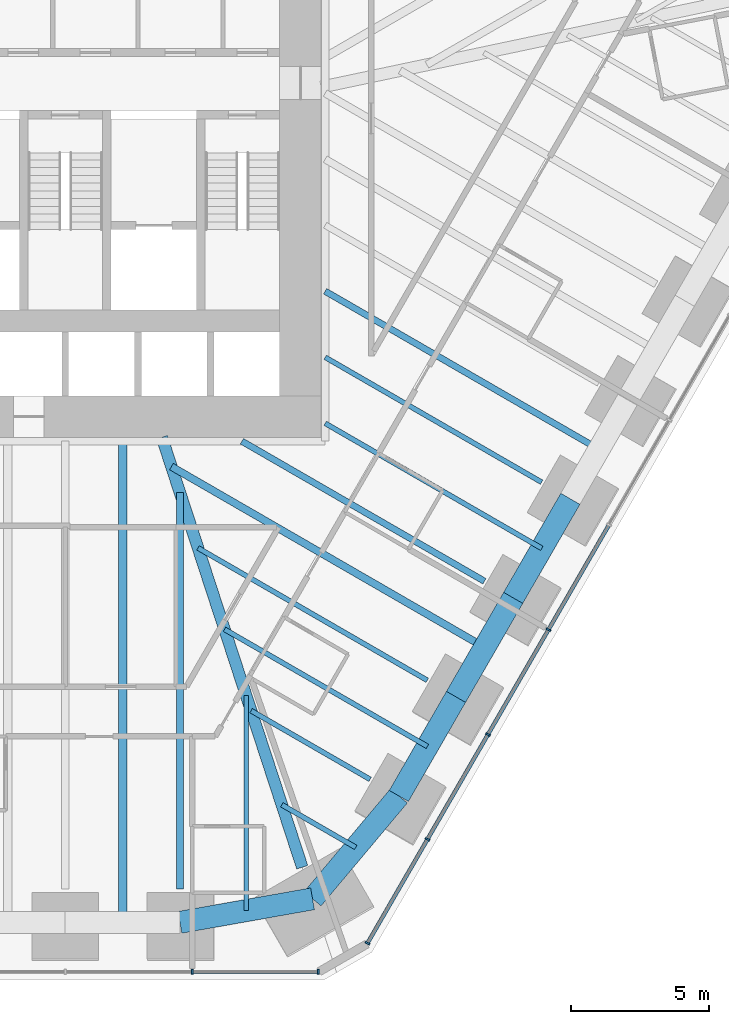
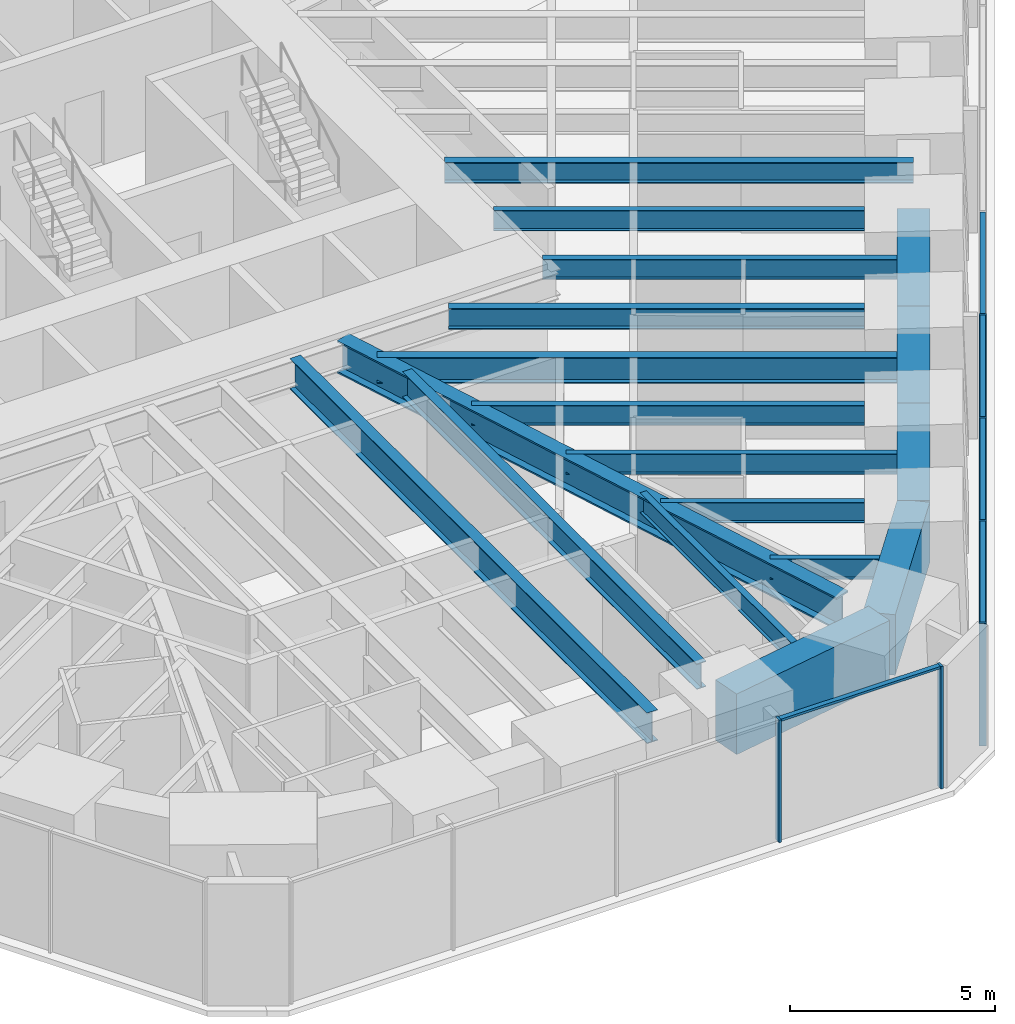
# One storey, part 5 of 17: 18 beams, 11 members, 2 elements without a shape of their own.
"""IFC4 building model written with IfcOpenShell, lengths in metres."""

from ifc_helpers import new_model, si_unit, direction, frame, origin, origin_2d, place, context, subcontext, project, spatial, rectangle, i_section, extrude, material, material_profile, profile_set, type_object, element, aggregate, save


model = new_model("IFC4")

# Units and contexts
model_context = context("Model", 3, precision=1e-05, world=origin(), true_north=direction((0.0, 1.0)))
body_context = subcontext(model_context, "Body", "Model", "MODEL_VIEW")
ifc_project = project(units=[si_unit("LENGTHUNIT", "METRE"), si_unit("AREAUNIT", "SQUARE_METRE"), si_unit("VOLUMEUNIT", "CUBIC_METRE"), si_unit("PLANEANGLEUNIT", "RADIAN"), si_unit("MASSUNIT", "GRAM", prefix="KILO")], contexts=[model_context])

# Site, building, storey
site_placement = place(None, origin())
site = spatial("IfcSite", under=ifc_project, at=site_placement, CompositionType="ELEMENT")
building_placement = place(site_placement, origin())
building = spatial("IfcBuilding", under=site, at=building_placement, Name="Sandreach Pilgrim Tower", CompositionType="ELEMENT")
storey_placement = place(building_placement, frame((0.0, 0.0, 64.800048828125)))
storey = spatial("IfcBuildingStorey", under=building, at=storey_placement, Name="L15", CompositionType="ELEMENT", Elevation=64.800048828125)

# Curtain wall, members
ifc_material_1 = material(Name="Aluminium framed curtain wall", Category="aluminium")
curtain_wall_type = type_object("IfcCurtainWallType", Name="Hostel tower curtain wall", PredefinedType="NOTDEFINED", material=ifc_material_1)
curtain_wall_1_placement = place(storey_placement, origin())
curtain_wall_1 = element("IfcCurtainWall", 1, at=curtain_wall_1_placement, inside=storey, type_object=curtain_wall_type, Name="CW-1 L15 SE", PredefinedType="NOTDEFINED")
ifc_material_2 = material(Name="Aluminium extrusion", Category="aluminium")
ifc_material_profile_1 = material_profile(ifc_material_2, rectangle(XDim=0.06494140625, YDim=0.179931640625, at=origin_2d()), Name="CW-1M 65X180")
ifc_profile_set_1 = profile_set([ifc_material_profile_1], Name="Aluminium extrusion")
member_type_1 = type_object("IfcMemberType", Name="CW-1 mullion", PredefinedType="MULLION", material=ifc_profile_set_1)
member_1_placement = place(storey_placement, frame((17.46142578125, -17.6533203125, 0.0), z_axis=(0.0, 0.0, 1.0), x_axis=(-0.5, -0.866025403784, 0.0)))
member_1 = element("IfcMember", 2, at=member_1_placement, type_object=member_type_1, Name="CW-1 mullion 7", PredefinedType="MULLION", context=body_context, shape_type="SweptSolid", body=[
    extrude(rectangle(XDim=0.06494140625, YDim=0.179931640625, at=origin_2d()), origin(), (0.0, 0.0, 1.0), 3.639892578125),
])
member_2_placement = place(storey_placement, frame((15.275634765625, -21.439208984375, 0.0), z_axis=(0.0, 0.0, 1.0), x_axis=(-0.5, -0.866025403784, 0.0)))
member_2 = element("IfcMember", 3, at=member_2_placement, type_object=member_type_1, Name="CW-1 mullion 8", PredefinedType="MULLION", context=body_context, shape_type="SweptSolid", body=[
    extrude(rectangle(XDim=0.06494140625, YDim=0.179931640625, at=origin_2d()), origin(), (0.0, 0.0, 1.0), 3.639892578125),
])
member_3_placement = place(storey_placement, frame((13.08984375, -25.22509765625, 0.0), z_axis=(0.0, 0.0, 1.0), x_axis=(-0.5, -0.866025403784, 0.0)))
member_3 = element("IfcMember", 4, at=member_3_placement, type_object=member_type_1, Name="CW-1 mullion 9", PredefinedType="MULLION", context=body_context, shape_type="SweptSolid", body=[
    extrude(rectangle(XDim=0.06494140625, YDim=0.179931640625, at=origin_2d()), origin(), (0.0, 0.0, 1.0), 3.639892578125),
])
member_4_placement = place(storey_placement, frame((10.92041015625, -28.982666015625, 0.0), z_axis=(0.0, 0.0, 1.0), x_axis=(-0.5, -0.866025403784, 0.0)))
member_4 = element("IfcMember", 5, at=member_4_placement, type_object=member_type_1, Name="CW-1 mullion 10", PredefinedType="MULLION", context=body_context, shape_type="SweptSolid", body=[
    extrude(rectangle(XDim=0.06494140625, YDim=0.179931640625, at=origin_2d()), origin(), (0.0, 0.0, 1.0), 3.639892578125),
])

curtain_wall_2_placement = place(storey_placement, origin())
curtain_wall_2 = element("IfcCurtainWall", 6, at=curtain_wall_2_placement, inside=storey, type_object=curtain_wall_type, Name="CW-1 L15 S", PredefinedType="NOTDEFINED")
member_5_placement = place(storey_placement, frame((9.1396484375, -30.010986328125, 0.0), z_axis=(0.0, 0.0, 1.0), x_axis=(-1.0, 0.0, 0.0)))
member_5 = element("IfcMember", 7, at=member_5_placement, type_object=member_type_1, Name="CW-1 mullion 1", PredefinedType="MULLION", context=body_context, shape_type="SweptSolid", body=[
    extrude(rectangle(XDim=0.06494140625, YDim=0.179931640625, at=origin_2d()), origin(), (0.0, 0.0, 1.0), 3.639892578125),
])
member_6_placement = place(storey_placement, frame((4.5859375, -30.010986328125, 0.0), z_axis=(0.0, 0.0, 1.0), x_axis=(-1.0, 0.0, 0.0)))
member_6 = element("IfcMember", 8, at=member_6_placement, type_object=member_type_1, Name="CW-1 mullion 2", PredefinedType="MULLION", context=body_context, shape_type="SweptSolid", body=[
    extrude(rectangle(XDim=0.06494140625, YDim=0.179931640625, at=origin_2d()), origin(), (0.0, 0.0, 1.0), 3.639892578125),
])

# Member
ifc_material_3 = material(Name="Aluminium extrusion", Category="aluminium")
ifc_material_profile_2 = material_profile(ifc_material_3, rectangle(XDim=0.139892578125, YDim=0.070068359375, at=origin_2d()), Name="CW-1T 140X70")
ifc_profile_set_2 = profile_set([ifc_material_profile_2], Name="Aluminium extrusion")
member_type_2 = type_object("IfcMemberType", Name="CW-1 transom", PredefinedType="USERDEFINED", material=ifc_profile_set_2)
member_7_placement = place(storey_placement, frame((19.631103515625, -13.8955078125, 3.60498046875), z_axis=(-0.500016891966, -0.866015650984, 0.0), x_axis=(0.866015650984, -0.500016891966, 0.0)))
member_7 = element("IfcMember", 9, at=member_7_placement, type_object=member_type_2, Name="CW-1 head transom 6", ObjectType="TRANSOM", PredefinedType="USERDEFINED", context=body_context, shape_type="SweptSolid", body=[
    extrude(rectangle(XDim=0.139892578125, YDim=0.070068359375, at=origin_2d()), origin(), (0.0, 0.0, 1.0), 4.306396484375),
])

member_8_placement = place(storey_placement, frame((17.4453125, -17.681396484375, 3.60498046875), z_axis=(-0.500016891966, -0.866015650984, 0.0), x_axis=(0.866015650984, -0.500016891966, 0.0)))
member_8 = element("IfcMember", 10, at=member_8_placement, type_object=member_type_2, Name="CW-1 head transom 7", ObjectType="TRANSOM", PredefinedType="USERDEFINED", context=body_context, shape_type="SweptSolid", body=[
    extrude(rectangle(XDim=0.139892578125, YDim=0.070068359375, at=origin_2d()), origin(), (0.0, 0.0, 1.0), 4.306396484375),
])

member_9_placement = place(storey_placement, frame((15.259521484375, -21.46728515625, 3.60498046875), z_axis=(-0.500016891966, -0.866015650984, 0.0), x_axis=(0.866015650984, -0.500016891966, 0.0)))
member_9 = element("IfcMember", 11, at=member_9_placement, type_object=member_type_2, Name="CW-1 head transom 8", ObjectType="TRANSOM", PredefinedType="USERDEFINED", context=body_context, shape_type="SweptSolid", body=[
    extrude(rectangle(XDim=0.139892578125, YDim=0.070068359375, at=origin_2d()), origin(), (0.0, 0.0, 1.0), 4.306396484375),
])

member_10_placement = place(storey_placement, frame((13.07373046875, -25.253173828125, 3.60498046875), z_axis=(-0.500033953635, -0.866005799756, 0.0), x_axis=(0.866005799756, -0.500033953635, 0.0)))
member_10 = element("IfcMember", 12, at=member_10_placement, type_object=member_type_2, Name="CW-1 head transom 9", ObjectType="TRANSOM", PredefinedType="USERDEFINED", context=body_context, shape_type="SweptSolid", body=[
    extrude(rectangle(XDim=0.139892578125, YDim=0.070068359375, at=origin_2d()), origin(), (0.0, 0.0, 1.0), 4.274169921875),
])

aggregate(curtain_wall_1, [member_1, member_2, member_3, member_4, member_7, member_8, member_9, member_10])

member_11_placement = place(storey_placement, frame((9.107177734375, -30.010986328125, 3.60498046875), z_axis=(-1.0, 0.0, 0.0), x_axis=(0.0, -1.0, 0.0)))
member_11 = element("IfcMember", 13, at=member_11_placement, type_object=member_type_2, Name="CW-1 head transom 1", ObjectType="TRANSOM", PredefinedType="USERDEFINED", context=body_context, shape_type="SweptSolid", body=[
    extrude(rectangle(XDim=0.139892578125, YDim=0.070068359375, at=origin_2d()), origin(), (0.0, 0.0, 1.0), 4.488525390625),
])

aggregate(curtain_wall_2, [member_5, member_6, member_11])

# Beams
ifc_material_4 = material(Name="Steel ASTM A992 Grade 50", Category="steel")
ifc_material_profile_3 = material_profile(ifc_material_4, i_section(OverallWidth=0.421630859375, OverallDepth=0.95751953125, WebThickness=0.02587890625, FlangeThickness=0.046875, at=origin_2d()), Name="W36X330")
ifc_profile_set_3 = profile_set([ifc_material_profile_3], Name="Steel ASTM A992 Grade 50")
beam_type_1 = type_object("IfcBeamType", Name="Corner girder W36X330", PredefinedType="BEAM", material=ifc_profile_set_3)
beam_1_placement = place(storey_placement, frame((8.564453125, -26.2373046875, 3.1611328125), z_axis=(-0.310310873709, 0.950635135926, 0.0), x_axis=(-0.950635135926, -0.310310873709, 0.0)))
element("IfcBeam", 14, at=beam_1_placement, inside=storey, type_object=beam_type_1, Name="BM L15 CG22", PredefinedType="BEAM", context=body_context, shape_type="SweptSolid", body=[
    extrude(i_section(OverallWidth=0.421630859375, OverallDepth=0.95751953125, WebThickness=0.02587890625, FlangeThickness=0.046875, at=origin_2d()), origin(), (0.0, 0.0, 1.0), 16.34423828125),
])
ifc_material_5 = material(Name="Steel ASTM A992 Grade 50", Category="steel")
ifc_material_profile_4 = material_profile(ifc_material_5, i_section(OverallWidth=0.1787109375, OverallDepth=0.60205078125, WebThickness=0.010986328125, FlangeThickness=0.014892578125, at=origin_2d()), Name="W24X62")
ifc_profile_set_4 = profile_set([ifc_material_profile_4], Name="Steel ASTM A992 Grade 50")
beam_type_2 = type_object("IfcBeamType", Name="Floor beam W24X62", PredefinedType="BEAM", material=ifc_profile_set_4)
beam_2_placement = place(storey_placement, frame((17.214111328125, -12.32421875, 3.3388671875), z_axis=(-0.866035219743, 0.499982997875, 0.0), x_axis=(-0.499982997875, -0.866035219743, 0.0)))
element("IfcBeam", 15, at=beam_2_placement, inside=storey, type_object=beam_type_2, Name="BM L15 F18", PredefinedType="BEAM", context=body_context, shape_type="SweptSolid", body=[
    extrude(i_section(OverallWidth=0.1787109375, OverallDepth=0.60205078125, WebThickness=0.010986328125, FlangeThickness=0.014892578125, at=origin_2d()), origin(), (0.0, 0.0, 1.0), 9.030517578125),
])
beam_3_placement = place(storey_placement, frame((13.081787109375, -19.4814453125, 3.3388671875), z_axis=(-0.866019818373, 0.500009674092, 0.0), x_axis=(-0.500009674092, -0.866019818373, 0.0)))
element("IfcBeam", 16, at=beam_3_placement, inside=storey, type_object=beam_type_2, Name="BM L15 F20", PredefinedType="BEAM", context=body_context, shape_type="SweptSolid", body=[
    extrude(i_section(OverallWidth=0.1787109375, OverallDepth=0.60205078125, WebThickness=0.010986328125, FlangeThickness=0.014892578125, at=origin_2d()), origin(), (0.0, 0.0, 1.0), 9.565185546875),
])
beam_4_placement = place(storey_placement, frame((11.015625, -23.06005859375, 3.3388671875), z_axis=(-0.866021758131, 0.500006314404, 0.0), x_axis=(-0.500006314404, -0.866021758131, 0.0)))
element("IfcBeam", 17, at=beam_4_placement, inside=storey, type_object=beam_type_2, Name="BM L15 F21", PredefinedType="BEAM", context=body_context, shape_type="SweptSolid", body=[
    extrude(i_section(OverallWidth=0.1787109375, OverallDepth=0.60205078125, WebThickness=0.010986328125, FlangeThickness=0.014892578125, at=origin_2d()), origin(), (0.0, 0.0, 1.0), 4.96337890625),
])
beam_5_placement = place(storey_placement, frame((17.22021484375, -14.713623046875, 3.3388671875), z_axis=(-0.866028588687, 0.499994483546, 0.0), x_axis=(-0.499994483546, -0.866028588687, 0.0)))
element("IfcBeam", 18, at=beam_5_placement, inside=storey, type_object=beam_type_2, Name="BM L15 FM18", PredefinedType="BEAM", context=body_context, shape_type="SweptSolid", body=[
    extrude(i_section(OverallWidth=0.1787109375, OverallDepth=0.60205078125, WebThickness=0.010986328125, FlangeThickness=0.014892578125, at=origin_2d()), origin(), (0.0, 0.0, 1.0), 9.03759765625),
])
beam_6_placement = place(storey_placement, frame((13.087890625, -21.87060546875, 3.3388671875), z_axis=(-0.866029956157, 0.499992114976, 0.0), x_axis=(-0.499992114976, -0.866029956157, 0.0)))
element("IfcBeam", 19, at=beam_6_placement, inside=storey, type_object=beam_type_2, Name="BM L15 FM20", PredefinedType="BEAM", context=body_context, shape_type="SweptSolid", body=[
    extrude(i_section(OverallWidth=0.1787109375, OverallDepth=0.60205078125, WebThickness=0.010986328125, FlangeThickness=0.014892578125, at=origin_2d()), origin(), (0.0, 0.0, 1.0), 8.464111328125),
])
beam_7_placement = place(storey_placement, frame((10.495849609375, -25.51904296875, 3.3388671875), z_axis=(-0.866025945564, 0.499999061609, 0.0), x_axis=(-0.499999061609, -0.866025945564, 0.0)))
element("IfcBeam", 20, at=beam_7_placement, inside=storey, type_object=beam_type_2, Name="BM L15 FM21", PredefinedType="BEAM", context=body_context, shape_type="SweptSolid", body=[
    extrude(i_section(OverallWidth=0.1787109375, OverallDepth=0.60205078125, WebThickness=0.010986328125, FlangeThickness=0.014892578125, at=origin_2d()), origin(), (0.0, 0.0, 1.0), 3.08154296875),
])
beam_8_placement = place(storey_placement, frame((6.541259765625, -27.802734375, 3.3388671875), z_axis=(0.0, 1.0, 0.0), x_axis=(-1.0, 0.0, 0.0)))
element("IfcBeam", 21, at=beam_8_placement, inside=storey, type_object=beam_type_2, Name="BM L15 FM22", PredefinedType="BEAM", context=body_context, shape_type="SweptSolid", body=[
    extrude(i_section(OverallWidth=0.1787109375, OverallDepth=0.60205078125, WebThickness=0.010986328125, FlangeThickness=0.014892578125, at=origin_2d()), origin(), (0.0, 0.0, 1.0), 7.763916015625),
])
ifc_material_6 = material(Name="Steel ASTM A992 Grade 50", Category="steel")
ifc_material_profile_5 = material_profile(ifc_material_6, i_section(OverallWidth=0.23046875, OverallDepth=0.6171875, WebThickness=0.01318359375, FlangeThickness=0.022216796875, at=origin_2d()), Name="W24X94")
ifc_profile_set_5 = profile_set([ifc_material_profile_5], Name="Steel ASTM A992 Grade 50")
beam_type_3 = type_object("IfcBeamType", Name="Floor beam W24X94", PredefinedType="BEAM", material=ifc_profile_set_5)
beam_9_placement = place(storey_placement, frame((15.14794921875, -15.90283203125, 3.331298828125), z_axis=(-0.866025277505, 0.500000218722, 0.0), x_axis=(-0.500000218722, -0.866025277505, 0.0)))
element("IfcBeam", 22, at=beam_9_placement, inside=storey, type_object=beam_type_3, Name="BM L15 F19", PredefinedType="BEAM", context=body_context, shape_type="SweptSolid", body=[
    extrude(i_section(OverallWidth=0.23046875, OverallDepth=0.6171875, WebThickness=0.01318359375, FlangeThickness=0.022216796875, at=origin_2d()), origin(), (0.0, 0.0, 1.0), 10.119140625),
])
beam_10_placement = place(storey_placement, frame((19.286376953125, -11.135009765625, 3.331298828125), z_axis=(-0.866028990792, 0.499993787068, 0.0), x_axis=(-0.499993787068, -0.866028990792, 0.0)))
element("IfcBeam", 23, at=beam_10_placement, inside=storey, type_object=beam_type_3, Name="BM L15 FM17", PredefinedType="BEAM", context=body_context, shape_type="SweptSolid", body=[
    extrude(i_section(OverallWidth=0.23046875, OverallDepth=0.6171875, WebThickness=0.01318359375, FlangeThickness=0.022216796875, at=origin_2d()), origin(), (0.0, 0.0, 1.0), 11.423583984375),
])
ifc_material_7 = material(Name="Steel ASTM A992 Grade 50", Category="steel")
ifc_material_profile_6 = material_profile(ifc_material_7, i_section(OverallWidth=0.2666015625, OverallDepth=0.761962890625, WebThickness=0.014404296875, FlangeThickness=0.021484375, at=origin_2d()), Name="W30X116")
ifc_profile_set_6 = profile_set([ifc_material_profile_6], Name="Steel ASTM A992 Grade 50")
beam_type_4 = type_object("IfcBeamType", Name="Floor beam W30X116", PredefinedType="BEAM", material=ifc_profile_set_6)
beam_11_placement = place(storey_placement, frame((4.1455078125, -27.02734375, 3.259033203125), z_axis=(0.0, 1.0, 0.0), x_axis=(-1.0, 0.0, 0.0)))
element("IfcBeam", 24, at=beam_11_placement, inside=storey, type_object=beam_type_4, Name="BM L15 F23", PredefinedType="BEAM", context=body_context, shape_type="SweptSolid", body=[
    extrude(i_section(OverallWidth=0.2666015625, OverallDepth=0.761962890625, WebThickness=0.014404296875, FlangeThickness=0.021484375, at=origin_2d()), origin(), (0.0, 0.0, 1.0), 14.327880859375),
])
beam_12_placement = place(storey_placement, frame((15.154052734375, -18.292236328125, 3.259033203125), z_axis=(-0.866022229169, 0.500005498556, 0.0), x_axis=(-0.500005498556, -0.866022229169, 0.0)))
element("IfcBeam", 25, at=beam_12_placement, inside=storey, type_object=beam_type_4, Name="BM L15 FM19", PredefinedType="BEAM", context=body_context, shape_type="SweptSolid", body=[
    extrude(i_section(OverallWidth=0.2666015625, OverallDepth=0.761962890625, WebThickness=0.014404296875, FlangeThickness=0.021484375, at=origin_2d()), origin(), (0.0, 0.0, 1.0), 13.066162109375),
])
ifc_material_8 = material(Name="Steel ASTM A992 Grade 50", Category="steel")
ifc_material_profile_7 = material_profile(ifc_material_8, i_section(OverallWidth=0.3046875, OverallDepth=0.914306640625, WebThickness=0.0166015625, FlangeThickness=0.02587890625, at=origin_2d()), Name="W36X160")
ifc_profile_set_7 = profile_set([ifc_material_profile_7], Name="Steel ASTM A992 Grade 50")
beam_type_5 = type_object("IfcBeamType", Name="Floor beam W36X160", PredefinedType="BEAM", material=ifc_profile_set_7)
beam_13_placement = place(storey_placement, frame((2.07275390625, -28.227294921875, 3.182861328125), z_axis=(0.0, 1.0, 0.0), x_axis=(-1.0, 0.0, 0.0)))
element("IfcBeam", 26, at=beam_13_placement, inside=storey, type_object=beam_type_5, Name="BM L15 FM23", PredefinedType="BEAM", context=body_context, shape_type="SweptSolid", body=[
    extrude(i_section(OverallWidth=0.3046875, OverallDepth=0.914306640625, WebThickness=0.0166015625, FlangeThickness=0.02587890625, at=origin_2d()), origin(), (0.0, 0.0, 1.0), 17.384033203125),
])
ifc_material_9 = material(Name="Concrete 10000 psi", Category="concrete")
ifc_material_profile_8 = material_profile(ifc_material_9, rectangle(XDim=0.800048828125, YDim=1.800048828125, at=origin_2d()), Name="RC800X1800")
ifc_profile_set_8 = profile_set([ifc_material_profile_8], Name="Concrete 10000 psi")
beam_type_6 = type_object("IfcBeamType", Name="Spandrel beam RC800X1800", PredefinedType="SPANDREL", material=ifc_profile_set_8)
beam_14_placement = place(storey_placement, frame((18.253173828125, -12.92431640625, 2.739990234375), z_axis=(-0.500008851346, -0.866020293397, 0.0), x_axis=(0.866020293397, -0.500008851346, 0.0)))
element("IfcBeam", 27, at=beam_14_placement, inside=storey, type_object=beam_type_6, Name="BM L15 SP18", PredefinedType="SPANDREL", context=body_context, shape_type="SweptSolid", body=[
    extrude(rectangle(XDim=0.800048828125, YDim=1.800048828125, at=origin_2d()), origin(), (0.0, 0.0, 1.0), 4.13232421875),
])
beam_15_placement = place(storey_placement, frame((16.18701171875, -16.5029296875, 2.739990234375), z_axis=(-0.499990122378, -0.866031106557, 0.0), x_axis=(0.866031106557, -0.499990122378, 0.0)))
element("IfcBeam", 28, at=beam_15_placement, inside=storey, type_object=beam_type_6, Name="BM L15 SP19", PredefinedType="SPANDREL", context=body_context, shape_type="SweptSolid", body=[
    extrude(rectangle(XDim=0.800048828125, YDim=1.800048828125, at=origin_2d()), origin(), (0.0, 0.0, 1.0), 4.1318359375),
])
beam_16_placement = place(storey_placement, frame((14.12109375, -20.081298828125, 2.739990234375), z_axis=(-0.500008851346, -0.866020293397, 0.0), x_axis=(0.866020293397, -0.500008851346, 0.0)))
element("IfcBeam", 29, at=beam_16_placement, inside=storey, type_object=beam_type_6, Name="BM L15 SP20", PredefinedType="SPANDREL", context=body_context, shape_type="SweptSolid", body=[
    extrude(rectangle(XDim=0.800048828125, YDim=1.800048828125, at=origin_2d()), origin(), (0.0, 0.0, 1.0), 4.13232421875),
])
beam_17_placement = place(storey_placement, frame((12.054931640625, -23.659912109375, 2.739990234375), z_axis=(-0.642561762037, -0.766233895079, 0.0), x_axis=(0.766233895079, -0.642561762037, 0.0)))
element("IfcBeam", 30, at=beam_17_placement, inside=storey, type_object=beam_type_6, Name="BM L15 SP21", PredefinedType="SPANDREL", context=body_context, shape_type="SweptSolid", body=[
    extrude(rectangle(XDim=0.800048828125, YDim=1.800048828125, at=origin_2d()), origin(), (0.0, 0.0, 1.0), 4.852294921875),
])
beam_18_placement = place(storey_placement, frame((8.93701171875, -27.3779296875, 2.739990234375), z_axis=(-0.984649422196, -0.174543734832, 0.0), x_axis=(0.174543734832, -0.984649422196, 0.0)))
element("IfcBeam", 31, at=beam_18_placement, inside=storey, type_object=beam_type_6, Name="BM L15 SP22", PredefinedType="SPANDREL", context=body_context, shape_type="SweptSolid", body=[
    extrude(rectangle(XDim=0.800048828125, YDim=1.800048828125, at=origin_2d()), origin(), (0.0, 0.0, 1.0), 4.8662109375),
])

save(model, "model.ifc")
